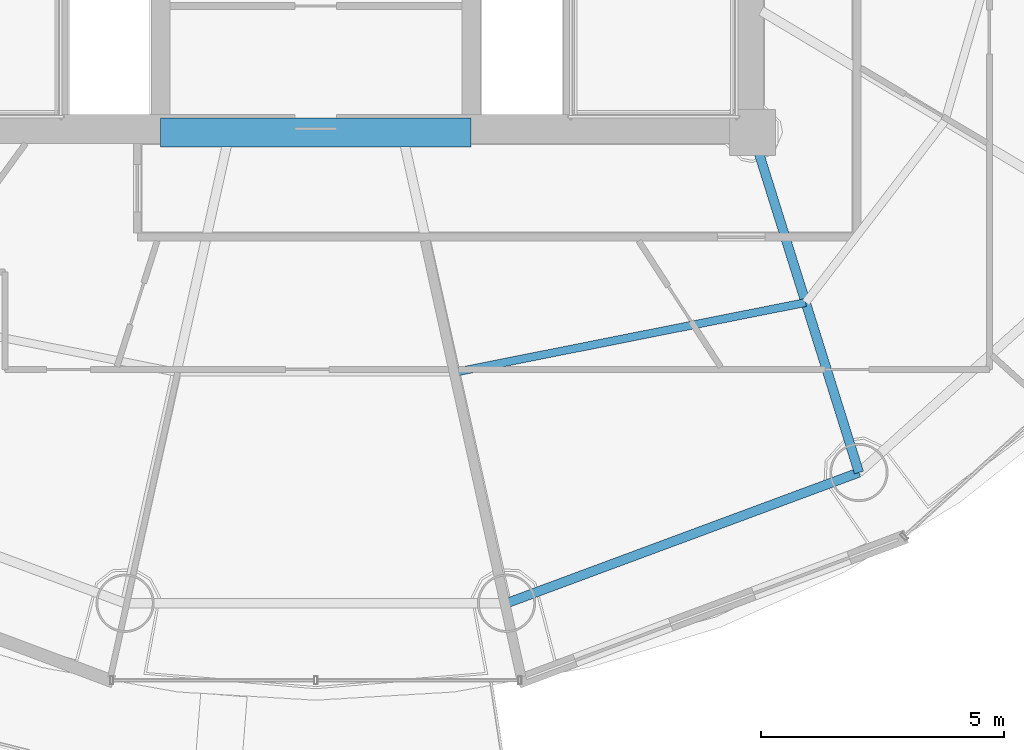
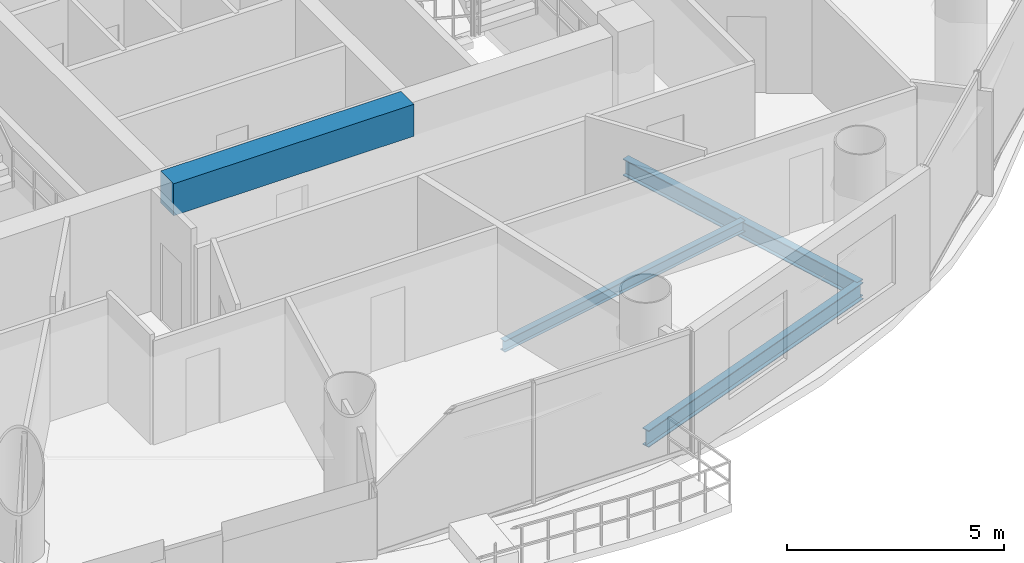
# One storey, part 6 of 27: 4 beams.
"""IFC4 building model written with IfcOpenShell, lengths in metres."""

from ifc_helpers import new_model, si_unit, direction, frame, origin, origin_2d, place, context, subcontext, project, spatial, rectangle, i_section, extrude, material, material_profile, profile_set, type_object, element, save


model = new_model("IFC4")

# Units and contexts
model_context = context("Model", 3, precision=1e-05, world=origin(), true_north=direction((-0.2419218956, 0.970295726276)))
body_context = subcontext(model_context, "Body", "Model", "MODEL_VIEW")
ifc_project = project(units=[si_unit("LENGTHUNIT", "METRE"), si_unit("AREAUNIT", "SQUARE_METRE"), si_unit("VOLUMEUNIT", "CUBIC_METRE"), si_unit("PLANEANGLEUNIT", "RADIAN"), si_unit("MASSUNIT", "GRAM", prefix="KILO")], contexts=[model_context])

# Site, building, storey
site_placement = place(None, origin())
site = spatial("IfcSite", under=ifc_project, at=site_placement, CompositionType="ELEMENT")
building_placement = place(site_placement, origin())
building = spatial("IfcBuilding", under=site, at=building_placement, Name="Cobrevalo Terracotta Tower", CompositionType="ELEMENT")
storey_placement = place(building_placement, frame((0.0, 0.0, 194.89990234375)))
storey = spatial("IfcBuildingStorey", under=building, at=storey_placement, Name="L51", CompositionType="ELEMENT", Elevation=194.89990234375)

# Beams
ifc_material_1 = material(Name="Concrete C60", Category="concrete")
ifc_material_profile_1 = material_profile(ifc_material_1, rectangle(XDim=0.60009765625, YDim=0.89990234375, at=origin_2d()), Name="RC CB 600x900")
ifc_profile_set_1 = profile_set([ifc_material_profile_1], Name="Concrete C60")
beam_type_1 = type_object("IfcBeamType", Name="Structural Beam RC CB 600x900 (Concrete C60)", PredefinedType="BEAM", material=ifc_profile_set_1)
beam_1_placement = place(storey_placement, frame((34.800048828125, 18.800048828125, 2.985107421875), z_axis=(1.0, 0.0, 0.0), x_axis=(0.0, 1.0, 0.0)))
element("IfcBeam", 1, at=beam_1_placement, inside=storey, type_object=beam_type_1, Name="L51 core coupling beam 1", PredefinedType="BEAM", context=body_context, shape_type="SweptSolid", body=[
    extrude(rectangle(XDim=0.60009765625, YDim=0.89990234375, at=origin_2d()), origin(), (0.0, 0.0, 1.0), 6.39990234375),
])
ifc_material_2 = material(Name="Steel S355", Category="steel")
ifc_material_profile_2 = material_profile(ifc_material_2, i_section(OverallWidth=0.194091796875, OverallDepth=0.468994140625, WebThickness=0.011474609375, FlangeThickness=0.0205078125, at=origin_2d()), Name="W 460x106")
ifc_profile_set_2 = profile_set([ifc_material_profile_2], Name="Steel S355")
beam_type_2 = type_object("IfcBeamType", Name="Structural Beam W 460x106 (Steel S355)", PredefinedType="BEAM", material=ifc_profile_set_2)
beam_2_placement = place(storey_placement, frame((49.19482421875, 11.7919921875, -0.49951171875), z_axis=(-0.298871212691, 0.954293454984, 0.0), x_axis=(-0.954293454984, -0.298871212691, 0.0)))
element("IfcBeam", 2, at=beam_2_placement, inside=storey, type_object=beam_type_2, Name="L51 radial floor girder 14", PredefinedType="BEAM", context=body_context, shape_type="SweptSolid", body=[
    extrude(i_section(OverallWidth=0.194091796875, OverallDepth=0.468994140625, WebThickness=0.011474609375, FlangeThickness=0.0205078125, at=origin_2d()), origin(), (0.0, 0.0, 1.0), 7.34375),
])
ifc_material_profile_3 = material_profile(ifc_material_2, i_section(OverallWidth=0.1650390625, OverallDepth=0.31005859375, WebThickness=0.005859375, FlangeThickness=0.009765625, at=origin_2d()), Name="W 310x38.7")
ifc_profile_set_3 = profile_set([ifc_material_profile_3], Name="Steel S355")
beam_type_3 = type_object("IfcBeamType", Name="Structural Joist W 310x38.7 (Steel S355)", PredefinedType="JOIST", material=ifc_profile_set_3)
beam_3_placement = place(storey_placement, frame((40.873779296875, 13.8583984375, -0.419921875), z_axis=(0.980768907748, 0.195172614871, 0.0), x_axis=(-0.195172614871, 0.980768907748, 0.0)))
element("IfcBeam", 3, at=beam_3_placement, inside=storey, type_object=beam_type_3, Name="L51 circumferential secondary floor joist 13", PredefinedType="JOIST", context=body_context, shape_type="SweptSolid", body=[
    extrude(i_section(OverallWidth=0.1650390625, OverallDepth=0.31005859375, WebThickness=0.005859375, FlangeThickness=0.009765625, at=origin_2d()), origin(), (0.0, 0.0, 1.0), 7.365234375),
])
ifc_material_profile_4 = material_profile(ifc_material_2, i_section(OverallWidth=0.194091796875, OverallDepth=0.468994140625, WebThickness=0.011474609375, FlangeThickness=0.0205078125, at=origin_2d()), Name="W 460x106")
ifc_profile_set_4 = profile_set([ifc_material_profile_4], Name="Steel S355")
beam_type_4 = type_object("IfcBeamType", Name="Structural Spandrel W 460x106 (Steel S355)", PredefinedType="SPANDREL", material=ifc_profile_set_4)
beam_4_placement = place(storey_placement, frame((41.93115234375, 9.096923828125, -0.49951171875), z_axis=(0.937545996665, 0.347861328892, 0.0), x_axis=(-0.347861328892, 0.937545996665, 0.0)))
element("IfcBeam", 4, at=beam_4_placement, inside=storey, type_object=beam_type_4, Name="L51 perimeter ring spandrel 13", PredefinedType="SPANDREL", context=body_context, shape_type="SweptSolid", body=[
    extrude(i_section(OverallWidth=0.194091796875, OverallDepth=0.468994140625, WebThickness=0.011474609375, FlangeThickness=0.0205078125, at=origin_2d()), origin(), (0.0, 0.0, 1.0), 7.74755859375),
])

save(model, "model.ifc")
